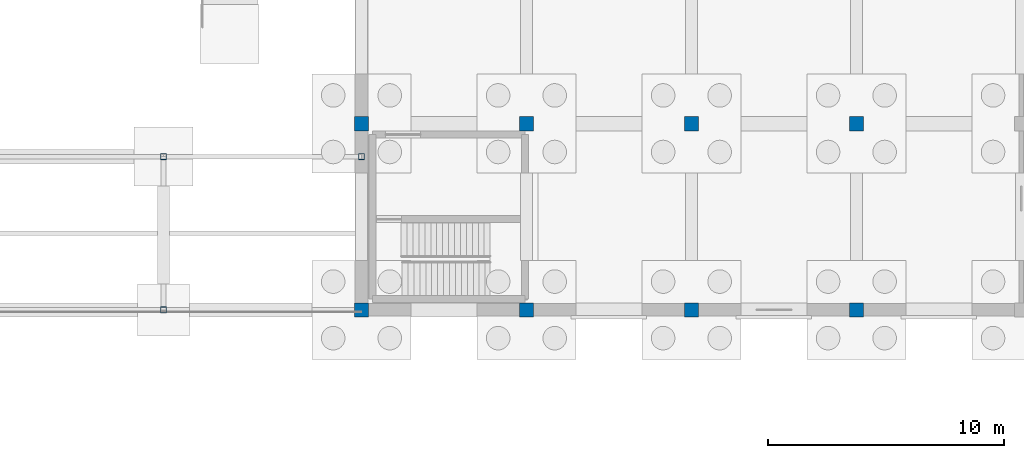
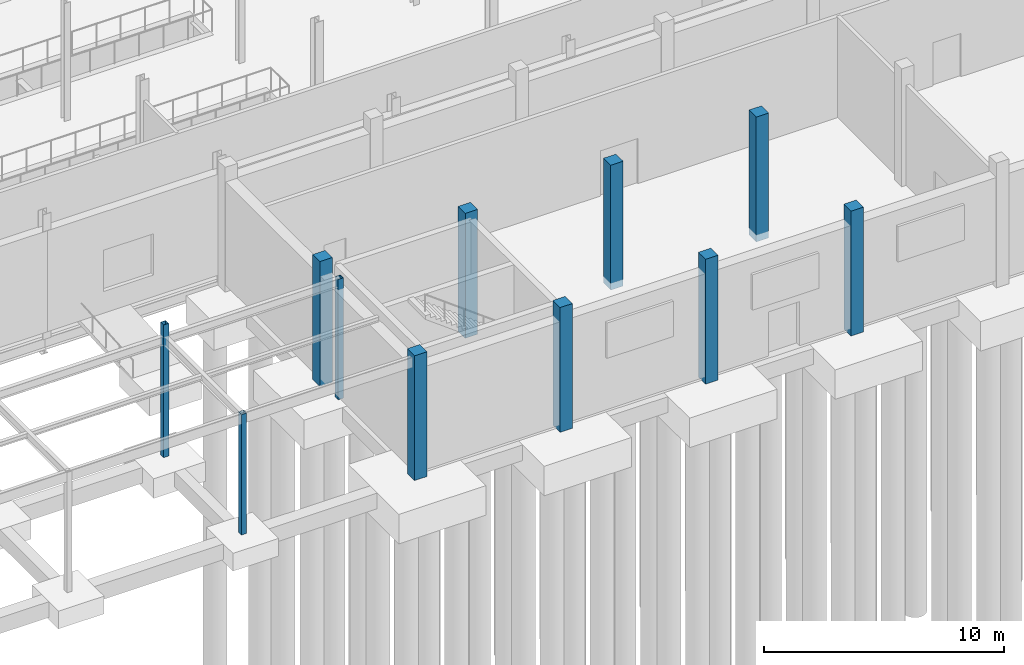
# One storey, part 17 of 139: 11 columns.
"""IFC4 building model written with IfcOpenShell, lengths in metres."""

from ifc_helpers import new_model, si_unit, direction, frame, origin, origin_2d, place, context, subcontext, project, spatial, rectangle, hollow_rectangle, extrude, material, material_profile, profile_set, type_object, element, save


model = new_model("IFC4")

# Units and contexts
model_context = context("Model", 3, precision=1e-05, world=origin(), true_north=direction((0.0, 1.0)))
body_context = subcontext(model_context, "Body", "Model", "MODEL_VIEW")
ifc_project = project(units=[si_unit("LENGTHUNIT", "METRE"), si_unit("AREAUNIT", "SQUARE_METRE"), si_unit("VOLUMEUNIT", "CUBIC_METRE"), si_unit("PLANEANGLEUNIT", "RADIAN"), si_unit("MASSUNIT", "GRAM", prefix="KILO")], contexts=[model_context])

# Site, building, storey
site_placement = place(None, origin())
site = spatial("IfcSite", under=ifc_project, at=site_placement, CompositionType="ELEMENT")
building_placement = place(site_placement, origin())
building = spatial("IfcBuilding", under=site, at=building_placement, Name="Kazenagashi Tramway Depot", CompositionType="ELEMENT")
storey_placement = place(building_placement, origin())
storey = spatial("IfcBuildingStorey", under=building, at=storey_placement, Name="L01", CompositionType="ELEMENT", Elevation=0.0)

# Columns
ifc_material_1 = material(Name="Concrete Fc36", Category="concrete")
ifc_material_profile_1 = material_profile(ifc_material_1, rectangle(XDim=0.6, YDim=0.6, at=origin_2d()), Name="RC-600x600")
ifc_profile_set_1 = profile_set([ifc_material_profile_1], Name="Concrete Fc36")
column_type_1 = type_object("IfcColumnType", Name="C-02", PredefinedType="COLUMN", material=ifc_profile_set_1)
for number, where, z_axis, x_axis, name in (
    (1, (103.6, 0.0, -0.35), (0.0, 0.0, 1.0), (1.0, 0.0, 0.0), "Column C-02 COL-0806"),
    (2, (103.6, 7.9, -0.35), (0.0, 0.0, 1.0), (1.0, 0.0, 0.0), "Column C-02 COL-0808"),
    (3, (110.6, 0.0, -0.35), (0.0, 0.0, 1.0), (1.0, 0.0, 0.0), "Column C-02 COL-0812"),
    (4, (110.6, 7.9, -0.35), (0.0, 0.0, 1.0), (1.0, 0.0, 0.0), "Column C-02 COL-0814"),
    (5, (117.6, 0.0, -0.35), (0.0, 0.0, 1.0), (1.0, 0.0, 0.0), "Column C-02 COL-0818"),
    (6, (117.6, 7.9, -0.35), (0.0, 0.0, 1.0), (1.0, 0.0, 0.0), "Column C-02 COL-0820"),
    (7, (124.6, 0.0, -0.35), (0.0, 0.0, 1.0), (1.0, 0.0, 0.0), "Column C-02 COL-0824"),
    (8, (124.6, 7.9, -0.35), (0.0, 0.0, 1.0), (1.0, 0.0, 0.0), "Column C-02 COL-0826"),
):
    element("IfcColumn", number, at=place(storey_placement, frame(where, z_axis=z_axis, x_axis=x_axis)), inside=storey, type_object=column_type_1, Name=name, PredefinedType="COLUMN", context=body_context, shape_type="SweptSolid", body=[
        extrude(rectangle(XDim=0.6, YDim=0.6, at=origin_2d()), origin(), (0.0, 0.0, 1.0), 6.35),
    ])
ifc_material_2 = material(Name="Weathering Steel SMA490W", Category="steel")
ifc_material_profile_2 = material_profile(ifc_material_2, hollow_rectangle(XDim=0.25, YDim=0.25, WallThickness=0.009, at=origin_2d()), Name="SHS-250x250x9")
ifc_profile_set_2 = profile_set([ifc_material_profile_2], Name="Weathering Steel SMA490W")
column_type_2 = type_object("IfcColumnType", Name="C-10", PredefinedType="COLUMN", material=ifc_profile_set_2)
column_1_placement = place(storey_placement, frame((95.2, 0.0, -0.35), z_axis=(0.0, 0.0, 1.0), x_axis=(1.0, 0.0, 0.0)))
element("IfcColumn", 9, at=column_1_placement, inside=storey, type_object=column_type_2, Name="Column C-10 COL-0860", PredefinedType="COLUMN", context=body_context, shape_type="SweptSolid", body=[
    extrude(hollow_rectangle(XDim=0.25, YDim=0.25, WallThickness=0.009, at=origin_2d()), origin(), (0.0, 0.0, 1.0), 6.125),
])
column_2_placement = place(storey_placement, frame((95.2, 6.5, -0.35), z_axis=(0.0, 0.0, 1.0), x_axis=(1.0, 0.0, 0.0)))
element("IfcColumn", 10, at=column_2_placement, inside=storey, type_object=column_type_2, Name="Column C-10 COL-0861", PredefinedType="COLUMN", context=body_context, shape_type="SweptSolid", body=[
    extrude(hollow_rectangle(XDim=0.25, YDim=0.25, WallThickness=0.009, at=origin_2d()), origin(), (0.0, 0.0, 1.0), 6.748),
])
column_3_placement = place(storey_placement, frame((103.6, 6.5, -0.35), z_axis=(0.0, 0.0, 1.0), x_axis=(1.0, 0.0, 0.0)))
element("IfcColumn", 11, at=column_3_placement, inside=storey, type_object=column_type_2, Name="Column C-10 COL-0862", PredefinedType="COLUMN", context=body_context, shape_type="SweptSolid", body=[
    extrude(hollow_rectangle(XDim=0.25, YDim=0.25, WallThickness=0.009, at=origin_2d()), origin(), (0.0, 0.0, 1.0), 6.125),
])

save(model, "model.ifc")
